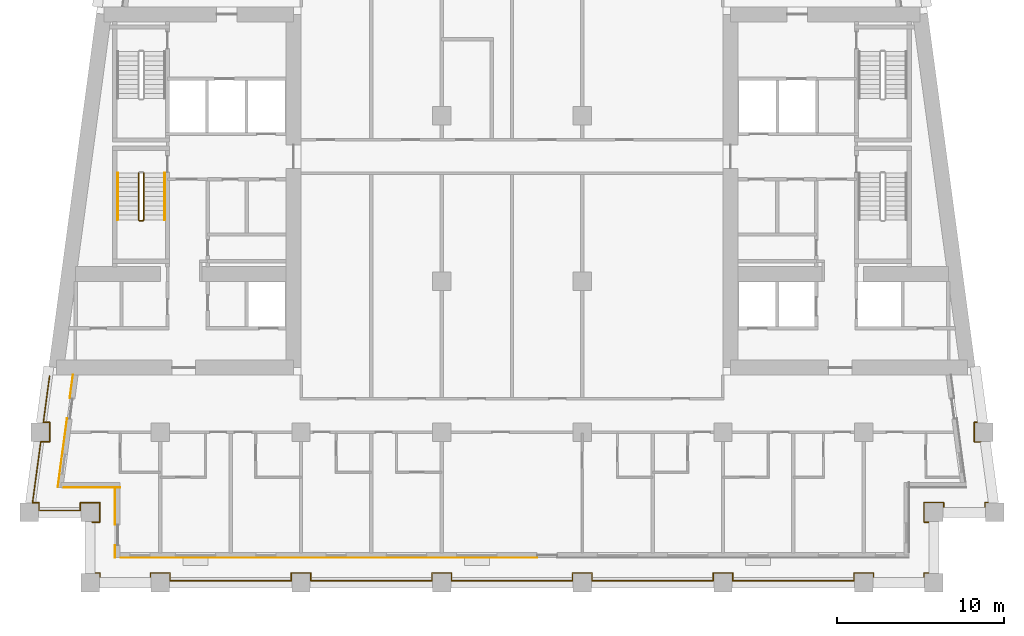
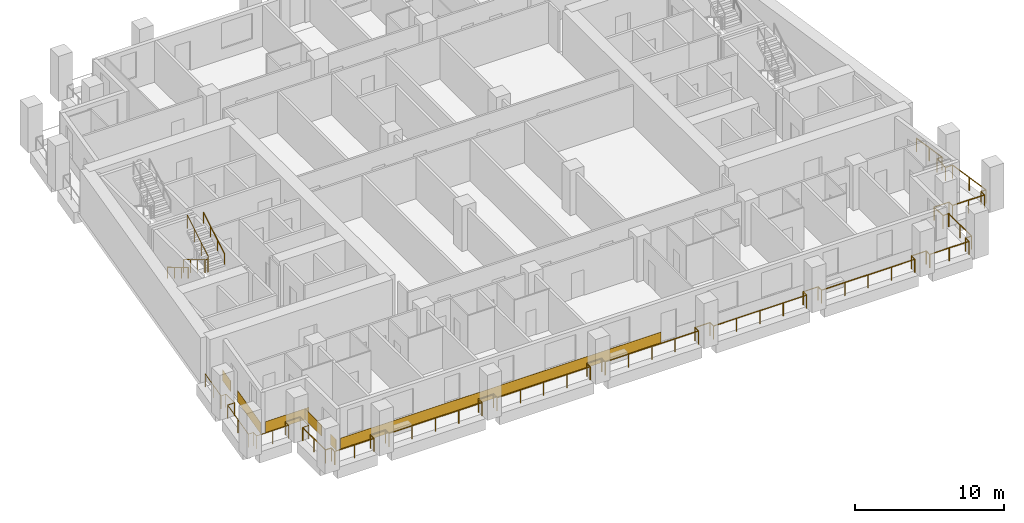
# One storey, part 9 of 13: 6 coverings, 5 railings.
"""IFC4 building model written with IfcOpenShell, lengths in metres."""

from ifc_helpers import new_model, si_unit, direction, frame, origin, origin_2d, place, context, subcontext, project, spatial, rectangle, circle, extrude, material, layer, layer_set, type_object, element, save


model = new_model("IFC4")

# Units and contexts
model_context = context("Model", 3, precision=1e-05, world=origin(), true_north=direction((0.0, 1.0)))
body_context = subcontext(model_context, "Body", "Model", "MODEL_VIEW")
ifc_project = project(units=[si_unit("LENGTHUNIT", "METRE"), si_unit("AREAUNIT", "SQUARE_METRE"), si_unit("VOLUMEUNIT", "CUBIC_METRE"), si_unit("PLANEANGLEUNIT", "RADIAN"), si_unit("MASSUNIT", "GRAM", prefix="KILO")], contexts=[model_context])

# Site, building, storey
site_placement = place(None, origin())
site = spatial("IfcSite", under=ifc_project, at=site_placement, CompositionType="ELEMENT")
building_placement = place(site_placement, origin())
building = spatial("IfcBuilding", under=site, at=building_placement, Name="Candeia Pilgrim Tower and Theatre", CompositionType="ELEMENT")
storey_placement = place(building_placement, frame((0.0, 0.0, 177.39990234375)))
storey = spatial("IfcBuildingStorey", under=building, at=storey_placement, Name="L42", CompositionType="ELEMENT", Elevation=177.39990234375)

# Railings
ifc_material_1 = material(Name="Stainless steel balustrade", Category="steel")
railing_type_1 = type_object("IfcRailingType", Name="G1 loggia guard 1100", PredefinedType="GUARDRAIL", material=ifc_material_1)
railing_1_placement = place(storey_placement, frame((88.320068359375, 101.6201171875, 0.0)))
element("IfcRailing", 1, at=railing_1_placement, inside=storey, type_object=railing_type_1, Name="Guard L42.1", PredefinedType="GUARDRAIL", context=body_context, shape_type="SweptSolid", body=[
    extrude(circle(Radius=0.02392578125, at=origin_2d()), frame((0.0, 0.0, 1.076171875), z_axis=(1.0, 0.0, 0.0), x_axis=(0.0, 1.0, 0.0)), (0.0, 0.0, 1.0), 0.4599609375),
    extrude(circle(Radius=0.02392578125, at=origin_2d()), frame((0.4599609375, 0.0, 1.076171875), z_axis=(0.0, 1.0, 0.0), x_axis=(-1.0, 0.0, 0.0)), (0.0, 0.0, 1.0), 1.159912109375),
    extrude(circle(Radius=0.02392578125, at=origin_2d()), frame((0.4599609375, 1.159912109375, 1.076171875), z_axis=(-1.0, 0.0, 0.0), x_axis=(0.0, -1.0, 0.0)), (0.0, 0.0, 1.0), 1.159912109375),
    extrude(circle(Radius=0.02392578125, at=origin_2d()), frame((-0.699951171875, 1.159912109375, 1.076171875), z_axis=(0.0, -1.0, 0.0), x_axis=(1.0, 0.0, 0.0)), (0.0, 0.0, 1.0), 0.4599609375),
    extrude(circle(Radius=0.02392578125, at=origin_2d()), frame((-0.699951171875, 0.699951171875, 1.076171875), z_axis=(-1.0, 0.0, 0.0), x_axis=(0.0, -1.0, 0.0)), (0.0, 0.0, 1.0), 2.474853515625),
    extrude(circle(Radius=0.02392578125, at=origin_2d()), frame((-3.1748046875, 0.699951171875, 1.076171875), z_axis=(0.0, 1.0, 0.0), x_axis=(-1.0, 0.0, 0.0)), (0.0, 0.0, 1.0), 0.4599609375),
    extrude(circle(Radius=0.02392578125, at=origin_2d()), frame((-3.1748046875, 1.159912109375, 1.076171875), z_axis=(-1.0, 0.0, 0.0), x_axis=(0.0, -1.0, 0.0)), (0.0, 0.0, 1.0), 0.380615234375),
    extrude(circle(Radius=0.02392578125, at=origin_2d()), frame((-3.555419921875, 1.159912109375, 1.076171875), z_axis=(0.133413267734, 0.9910604926, 0.0), x_axis=(-0.9910604926, 0.133413267734, 0.0)), (0.0, 0.0, 1.0), 3.672607421875),
    extrude(circle(Radius=0.02392578125, at=origin_2d()), frame((-3.0654296875, 4.7998046875, 1.076171875), z_axis=(1.0, 0.0, 0.0), x_axis=(0.0, 1.0, 0.0)), (0.0, 0.0, 1.0), 0.536865234375),
    extrude(circle(Radius=0.02392578125, at=origin_2d()), frame((-2.528564453125, 4.7998046875, 1.076171875), z_axis=(0.0, 1.0, 0.0), x_axis=(-1.0, 0.0, 0.0)), (0.0, 0.0, 1.0), 1.16015625),
    extrude(circle(Radius=0.02392578125, at=origin_2d()), frame((-2.528564453125, 5.9599609375, 1.076171875), z_axis=(-1.0, 0.0, 0.0), x_axis=(0.0, -1.0, 0.0)), (0.0, 0.0, 1.0), 0.380859375),
    extrude(circle(Radius=0.02392578125, at=origin_2d()), frame((-2.909423828125, 5.9599609375, 1.076171875), z_axis=(0.133468107709, 0.99105310868, 0.0), x_axis=(-0.99105310868, 0.133468107709, 0.0)), (0.0, 0.0, 1.0), 2.794921875),
    extrude(circle(Radius=0.02099609375, at=origin_2d()), origin(), (0.0, 0.0, 1.0), 1.052001953125),
    extrude(circle(Radius=0.02099609375, at=origin_2d()), frame((0.4599609375, 0.0, 0.0)), (0.0, 0.0, 1.0), 1.052001953125),
    extrude(circle(Radius=0.02099609375, at=origin_2d()), frame((0.4599609375, 1.159912109375, 0.0)), (0.0, 0.0, 1.0), 1.052001953125),
    extrude(circle(Radius=0.02099609375, at=origin_2d()), frame((-0.699951171875, 1.159912109375, 0.0)), (0.0, 0.0, 1.0), 1.052001953125),
    extrude(circle(Radius=0.02099609375, at=origin_2d()), frame((-0.699951171875, 0.699951171875, 0.0)), (0.0, 0.0, 1.0), 1.052001953125),
    extrude(circle(Radius=0.02099609375, at=origin_2d()), frame((-1.9375, 0.699951171875, 0.0)), (0.0, 0.0, 1.0), 1.052001953125),
    extrude(circle(Radius=0.02099609375, at=origin_2d()), frame((-3.1748046875, 0.699951171875, 0.0)), (0.0, 0.0, 1.0), 1.052001953125),
    extrude(circle(Radius=0.02099609375, at=origin_2d()), frame((-3.1748046875, 1.159912109375, 0.0)), (0.0, 0.0, 1.0), 1.052001953125),
    extrude(circle(Radius=0.02099609375, at=origin_2d()), frame((-3.555419921875, 1.159912109375, 0.0)), (0.0, 0.0, 1.0), 1.052001953125),
    extrude(circle(Radius=0.02099609375, at=origin_2d()), frame((-3.310546875, 2.97998046875, 0.0)), (0.0, 0.0, 1.0), 1.052001953125),
    extrude(circle(Radius=0.02099609375, at=origin_2d()), frame((-3.0654296875, 4.7998046875, 0.0)), (0.0, 0.0, 1.0), 1.052001953125),
    extrude(circle(Radius=0.02099609375, at=origin_2d()), frame((-2.528564453125, 4.7998046875, 0.0)), (0.0, 0.0, 1.0), 1.052001953125),
    extrude(circle(Radius=0.02099609375, at=origin_2d()), frame((-2.528564453125, 5.9599609375, 0.0)), (0.0, 0.0, 1.0), 1.052001953125),
    extrude(circle(Radius=0.02099609375, at=origin_2d()), frame((-2.909423828125, 5.9599609375, 0.0)), (0.0, 0.0, 1.0), 1.052001953125),
    extrude(circle(Radius=0.02099609375, at=origin_2d()), frame((-2.722900390625, 7.344970703125, 0.0)), (0.0, 0.0, 1.0), 1.052001953125),
    extrude(circle(Radius=0.02099609375, at=origin_2d()), frame((-2.536376953125, 8.72998046875, 0.0)), (0.0, 0.0, 1.0), 1.052001953125),
])
railing_2_placement = place(storey_placement, frame((141.016357421875, 110.35009765625, 0.0)))
element("IfcRailing", 2, at=railing_2_placement, inside=storey, type_object=railing_type_1, Name="Guard L42.4", PredefinedType="GUARDRAIL", context=body_context, shape_type="SweptSolid", body=[
    extrude(circle(Radius=0.02392578125, at=origin_2d()), frame((0.0, 0.0, 1.076171875), z_axis=(0.133468107709, -0.99105310868, 0.0), x_axis=(0.99105310868, 0.133468107709, 0.0)), (0.0, 0.0, 1.0), 2.794921875),
    extrude(circle(Radius=0.02392578125, at=origin_2d()), frame((0.373046875, -2.77001953125, 1.076171875), z_axis=(-1.0, 0.0, 0.0), x_axis=(0.0, -1.0, 0.0)), (0.0, 0.0, 1.0), 0.380859375),
    extrude(circle(Radius=0.02392578125, at=origin_2d()), frame((-0.0078125, -2.77001953125, 1.076171875), z_axis=(0.0, -1.0, 0.0), x_axis=(1.0, 0.0, 0.0)), (0.0, 0.0, 1.0), 1.16015625),
    extrude(circle(Radius=0.02392578125, at=origin_2d()), frame((-0.0078125, -3.93017578125, 1.076171875), z_axis=(1.0, 0.0, 0.0), x_axis=(0.0, 1.0, 0.0)), (0.0, 0.0, 1.0), 0.536865234375),
    extrude(circle(Radius=0.02392578125, at=origin_2d()), frame((0.529052734375, -3.93017578125, 1.076171875), z_axis=(0.133413267734, -0.9910604926, 0.0), x_axis=(0.9910604926, 0.133413267734, 0.0)), (0.0, 0.0, 1.0), 3.672607421875),
    extrude(circle(Radius=0.02392578125, at=origin_2d()), frame((1.01904296875, -7.570068359375, 1.076171875), z_axis=(-1.0, 0.0, 0.0), x_axis=(0.0, -1.0, 0.0)), (0.0, 0.0, 1.0), 0.380859375),
    extrude(circle(Radius=0.02392578125, at=origin_2d()), frame((0.63818359375, -7.570068359375, 1.076171875), z_axis=(0.0, -1.0, 0.0), x_axis=(1.0, 0.0, 0.0)), (0.0, 0.0, 1.0), 0.4599609375),
    extrude(circle(Radius=0.02392578125, at=origin_2d()), frame((0.63818359375, -8.030029296875, 1.076171875), z_axis=(-1.0, 0.0, 0.0), x_axis=(0.0, -1.0, 0.0)), (0.0, 0.0, 1.0), 2.474609375),
    extrude(circle(Radius=0.02392578125, at=origin_2d()), frame((-1.83642578125, -8.030029296875, 1.076171875), z_axis=(0.0, 1.0, 0.0), x_axis=(-1.0, 0.0, 0.0)), (0.0, 0.0, 1.0), 0.4599609375),
    extrude(circle(Radius=0.02392578125, at=origin_2d()), frame((-1.83642578125, -7.570068359375, 1.076171875), z_axis=(-1.0, 0.0, 0.0), x_axis=(0.0, -1.0, 0.0)), (0.0, 0.0, 1.0), 1.159912109375),
    extrude(circle(Radius=0.02392578125, at=origin_2d()), frame((-2.996337890625, -7.570068359375, 1.076171875), z_axis=(0.0, -1.0, 0.0), x_axis=(1.0, 0.0, 0.0)), (0.0, 0.0, 1.0), 1.159912109375),
    extrude(circle(Radius=0.02392578125, at=origin_2d()), frame((-2.996337890625, -8.72998046875, 1.076171875), z_axis=(1.0, 0.0, 0.0), x_axis=(0.0, 1.0, 0.0)), (0.0, 0.0, 1.0), 0.4599609375),
    extrude(circle(Radius=0.02392578125, at=origin_2d()), frame((-2.536376953125, -8.72998046875, 1.076171875), z_axis=(0.0, -1.0, 0.0), x_axis=(1.0, 0.0, 0.0)), (0.0, 0.0, 1.0), 3.0400390625),
    extrude(circle(Radius=0.02392578125, at=origin_2d()), frame((-2.536376953125, -11.77001953125, 1.076171875), z_axis=(-1.0, 0.0, 0.0), x_axis=(0.0, -1.0, 0.0)), (0.0, 0.0, 1.0), 0.4599609375),
    extrude(circle(Radius=0.02392578125, at=origin_2d()), frame((-2.996337890625, -11.77001953125, 1.076171875), z_axis=(0.0, -1.0, 0.0), x_axis=(1.0, 0.0, 0.0)), (0.0, 0.0, 1.0), 0.4599609375),
    extrude(circle(Radius=0.02392578125, at=origin_2d()), frame((-2.996337890625, -12.22998046875, 1.076171875), z_axis=(-1.0, 0.0, 0.0), x_axis=(0.0, -1.0, 0.0)), (0.0, 0.0, 1.0), 3.0400390625),
    extrude(circle(Radius=0.02392578125, at=origin_2d()), frame((-6.036376953125, -12.22998046875, 1.076171875), z_axis=(0.0, 1.0, 0.0), x_axis=(-1.0, 0.0, 0.0)), (0.0, 0.0, 1.0), 0.4599609375),
    extrude(circle(Radius=0.02392578125, at=origin_2d()), frame((-6.036376953125, -11.77001953125, 1.076171875), z_axis=(-1.0, 0.0, 0.0), x_axis=(0.0, -1.0, 0.0)), (0.0, 0.0, 1.0), 1.159912109375),
    extrude(circle(Radius=0.02392578125, at=origin_2d()), frame((-7.1962890625, -11.77001953125, 1.076171875), z_axis=(0.0, -1.0, 0.0), x_axis=(1.0, 0.0, 0.0)), (0.0, 0.0, 1.0), 0.4599609375),
    extrude(circle(Radius=0.02392578125, at=origin_2d()), frame((-7.1962890625, -12.22998046875, 1.076171875), z_axis=(-1.0, 0.0, 0.0), x_axis=(0.0, -1.0, 0.0)), (0.0, 0.0, 1.0), 7.239990234375),
    extrude(circle(Radius=0.02392578125, at=origin_2d()), frame((-14.436279296875, -12.22998046875, 1.076171875), z_axis=(0.0, 1.0, 0.0), x_axis=(-1.0, 0.0, 0.0)), (0.0, 0.0, 1.0), 0.4599609375),
    extrude(circle(Radius=0.02392578125, at=origin_2d()), frame((-14.436279296875, -11.77001953125, 1.076171875), z_axis=(-1.0, 0.0, 0.0), x_axis=(0.0, -1.0, 0.0)), (0.0, 0.0, 1.0), 1.16015625),
    extrude(circle(Radius=0.02392578125, at=origin_2d()), frame((-15.596435546875, -11.77001953125, 1.076171875), z_axis=(0.0, -1.0, 0.0), x_axis=(1.0, 0.0, 0.0)), (0.0, 0.0, 1.0), 0.4599609375),
    extrude(circle(Radius=0.02392578125, at=origin_2d()), frame((-15.596435546875, -12.22998046875, 1.076171875), z_axis=(-1.0, 0.0, 0.0), x_axis=(0.0, -1.0, 0.0)), (0.0, 0.0, 1.0), 7.239990234375),
    extrude(circle(Radius=0.02392578125, at=origin_2d()), frame((-22.83642578125, -12.22998046875, 1.076171875), z_axis=(0.0, 1.0, 0.0), x_axis=(-1.0, 0.0, 0.0)), (0.0, 0.0, 1.0), 0.4599609375),
    extrude(circle(Radius=0.02392578125, at=origin_2d()), frame((-22.83642578125, -11.77001953125, 1.076171875), z_axis=(-1.0, 0.0, 0.0), x_axis=(0.0, -1.0, 0.0)), (0.0, 0.0, 1.0), 1.159912109375),
    extrude(circle(Radius=0.02392578125, at=origin_2d()), frame((-23.996337890625, -11.77001953125, 1.076171875), z_axis=(0.0, -1.0, 0.0), x_axis=(1.0, 0.0, 0.0)), (0.0, 0.0, 1.0), 0.4599609375),
    extrude(circle(Radius=0.02392578125, at=origin_2d()), frame((-23.996337890625, -12.22998046875, 1.076171875), z_axis=(-1.0, 0.0, 0.0), x_axis=(0.0, -1.0, 0.0)), (0.0, 0.0, 1.0), 7.239990234375),
    extrude(circle(Radius=0.02392578125, at=origin_2d()), frame((-31.236328125, -12.22998046875, 1.076171875), z_axis=(0.0, 1.0, 0.0), x_axis=(-1.0, 0.0, 0.0)), (0.0, 0.0, 1.0), 0.4599609375),
    extrude(circle(Radius=0.02392578125, at=origin_2d()), frame((-31.236328125, -11.77001953125, 1.076171875), z_axis=(-1.0, 0.0, 0.0), x_axis=(0.0, -1.0, 0.0)), (0.0, 0.0, 1.0), 1.159912109375),
    extrude(circle(Radius=0.02392578125, at=origin_2d()), frame((-32.396240234375, -11.77001953125, 1.076171875), z_axis=(0.0, -1.0, 0.0), x_axis=(1.0, 0.0, 0.0)), (0.0, 0.0, 1.0), 0.4599609375),
    extrude(circle(Radius=0.02392578125, at=origin_2d()), frame((-32.396240234375, -12.22998046875, 1.076171875), z_axis=(-1.0, 0.0, 0.0), x_axis=(0.0, -1.0, 0.0)), (0.0, 0.0, 1.0), 7.240234375),
    extrude(circle(Radius=0.02392578125, at=origin_2d()), frame((-39.636474609375, -12.22998046875, 1.076171875), z_axis=(0.0, 1.0, 0.0), x_axis=(-1.0, 0.0, 0.0)), (0.0, 0.0, 1.0), 0.4599609375),
    extrude(circle(Radius=0.02392578125, at=origin_2d()), frame((-39.636474609375, -11.77001953125, 1.076171875), z_axis=(-1.0, 0.0, 0.0), x_axis=(0.0, -1.0, 0.0)), (0.0, 0.0, 1.0), 1.159912109375),
    extrude(circle(Radius=0.02392578125, at=origin_2d()), frame((-40.79638671875, -11.77001953125, 1.076171875), z_axis=(0.0, -1.0, 0.0), x_axis=(1.0, 0.0, 0.0)), (0.0, 0.0, 1.0), 0.4599609375),
    extrude(circle(Radius=0.02392578125, at=origin_2d()), frame((-40.79638671875, -12.22998046875, 1.076171875), z_axis=(-1.0, 0.0, 0.0), x_axis=(0.0, -1.0, 0.0)), (0.0, 0.0, 1.0), 7.239990234375),
    extrude(circle(Radius=0.02392578125, at=origin_2d()), frame((-48.036376953125, -12.22998046875, 1.076171875), z_axis=(0.0, 1.0, 0.0), x_axis=(-1.0, 0.0, 0.0)), (0.0, 0.0, 1.0), 0.4599609375),
    extrude(circle(Radius=0.02392578125, at=origin_2d()), frame((-48.036376953125, -11.77001953125, 1.076171875), z_axis=(-1.0, 0.0, 0.0), x_axis=(0.0, -1.0, 0.0)), (0.0, 0.0, 1.0), 1.159912109375),
    extrude(circle(Radius=0.02392578125, at=origin_2d()), frame((-49.1962890625, -11.77001953125, 1.076171875), z_axis=(0.0, -1.0, 0.0), x_axis=(1.0, 0.0, 0.0)), (0.0, 0.0, 1.0), 0.4599609375),
    extrude(circle(Radius=0.02392578125, at=origin_2d()), frame((-49.1962890625, -12.22998046875, 1.076171875), z_axis=(-1.0, 0.0, 0.0), x_axis=(0.0, -1.0, 0.0)), (0.0, 0.0, 1.0), 3.0400390625),
    extrude(circle(Radius=0.02392578125, at=origin_2d()), frame((-52.236328125, -12.22998046875, 1.076171875), z_axis=(0.0, 1.0, 0.0), x_axis=(-1.0, 0.0, 0.0)), (0.0, 0.0, 1.0), 0.4599609375),
    extrude(circle(Radius=0.02392578125, at=origin_2d()), frame((-52.236328125, -11.77001953125, 1.076171875), z_axis=(-1.0, 0.0, 0.0), x_axis=(0.0, -1.0, 0.0)), (0.0, 0.0, 1.0), 0.4599609375),
    extrude(circle(Radius=0.02392578125, at=origin_2d()), frame((-52.6962890625, -11.77001953125, 1.076171875), z_axis=(0.0, 1.0, 0.0), x_axis=(-1.0, 0.0, 0.0)), (0.0, 0.0, 1.0), 3.0400390625),
    extrude(circle(Radius=0.02099609375, at=origin_2d()), origin(), (0.0, 0.0, 1.0), 1.052001953125),
    extrude(circle(Radius=0.02099609375, at=origin_2d()), frame((0.1865234375, -1.385009765625, 0.0)), (0.0, 0.0, 1.0), 1.052001953125),
    extrude(circle(Radius=0.02099609375, at=origin_2d()), frame((0.373046875, -2.77001953125, 0.0)), (0.0, 0.0, 1.0), 1.052001953125),
    extrude(circle(Radius=0.02099609375, at=origin_2d()), frame((-0.0078125, -2.77001953125, 0.0)), (0.0, 0.0, 1.0), 1.052001953125),
    extrude(circle(Radius=0.02099609375, at=origin_2d()), frame((-0.0078125, -3.93017578125, 0.0)), (0.0, 0.0, 1.0), 1.052001953125),
    extrude(circle(Radius=0.02099609375, at=origin_2d()), frame((0.529052734375, -3.93017578125, 0.0)), (0.0, 0.0, 1.0), 1.052001953125),
    extrude(circle(Radius=0.02099609375, at=origin_2d()), frame((0.77392578125, -5.75, 0.0)), (0.0, 0.0, 1.0), 1.052001953125),
    extrude(circle(Radius=0.02099609375, at=origin_2d()), frame((1.01904296875, -7.570068359375, 0.0)), (0.0, 0.0, 1.0), 1.052001953125),
    extrude(circle(Radius=0.02099609375, at=origin_2d()), frame((0.63818359375, -7.570068359375, 0.0)), (0.0, 0.0, 1.0), 1.052001953125),
    extrude(circle(Radius=0.02099609375, at=origin_2d()), frame((0.63818359375, -8.030029296875, 0.0)), (0.0, 0.0, 1.0), 1.052001953125),
    extrude(circle(Radius=0.02099609375, at=origin_2d()), frame((-0.59912109375, -8.030029296875, 0.0)), (0.0, 0.0, 1.0), 1.052001953125),
    extrude(circle(Radius=0.02099609375, at=origin_2d()), frame((-1.83642578125, -8.030029296875, 0.0)), (0.0, 0.0, 1.0), 1.052001953125),
    extrude(circle(Radius=0.02099609375, at=origin_2d()), frame((-1.83642578125, -7.570068359375, 0.0)), (0.0, 0.0, 1.0), 1.052001953125),
    extrude(circle(Radius=0.02099609375, at=origin_2d()), frame((-2.996337890625, -7.570068359375, 0.0)), (0.0, 0.0, 1.0), 1.052001953125),
    extrude(circle(Radius=0.02099609375, at=origin_2d()), frame((-2.996337890625, -8.72998046875, 0.0)), (0.0, 0.0, 1.0), 1.052001953125),
    extrude(circle(Radius=0.02099609375, at=origin_2d()), frame((-2.536376953125, -8.72998046875, 0.0)), (0.0, 0.0, 1.0), 1.052001953125),
    extrude(circle(Radius=0.02099609375, at=origin_2d()), frame((-2.536376953125, -10.25, 0.0)), (0.0, 0.0, 1.0), 1.052001953125),
    extrude(circle(Radius=0.02099609375, at=origin_2d()), frame((-2.536376953125, -11.77001953125, 0.0)), (0.0, 0.0, 1.0), 1.052001953125),
    extrude(circle(Radius=0.02099609375, at=origin_2d()), frame((-2.996337890625, -11.77001953125, 0.0)), (0.0, 0.0, 1.0), 1.052001953125),
    extrude(circle(Radius=0.02099609375, at=origin_2d()), frame((-2.996337890625, -12.22998046875, 0.0)), (0.0, 0.0, 1.0), 1.052001953125),
    extrude(circle(Radius=0.02099609375, at=origin_2d()), frame((-4.516357421875, -12.22998046875, 0.0)), (0.0, 0.0, 1.0), 1.052001953125),
    extrude(circle(Radius=0.02099609375, at=origin_2d()), frame((-6.036376953125, -12.22998046875, 0.0)), (0.0, 0.0, 1.0), 1.052001953125),
    extrude(circle(Radius=0.02099609375, at=origin_2d()), frame((-6.036376953125, -11.77001953125, 0.0)), (0.0, 0.0, 1.0), 1.052001953125),
    extrude(circle(Radius=0.02099609375, at=origin_2d()), frame((-7.1962890625, -11.77001953125, 0.0)), (0.0, 0.0, 1.0), 1.052001953125),
    extrude(circle(Radius=0.02099609375, at=origin_2d()), frame((-7.1962890625, -12.22998046875, 0.0)), (0.0, 0.0, 1.0), 1.052001953125),
    extrude(circle(Radius=0.02099609375, at=origin_2d()), frame((-9.00634765625, -12.22998046875, 0.0)), (0.0, 0.0, 1.0), 1.052001953125),
    extrude(circle(Radius=0.02099609375, at=origin_2d()), frame((-10.81640625, -12.22998046875, 0.0)), (0.0, 0.0, 1.0), 1.052001953125),
    extrude(circle(Radius=0.02099609375, at=origin_2d()), frame((-12.626220703125, -12.22998046875, 0.0)), (0.0, 0.0, 1.0), 1.052001953125),
    extrude(circle(Radius=0.02099609375, at=origin_2d()), frame((-14.436279296875, -12.22998046875, 0.0)), (0.0, 0.0, 1.0), 1.052001953125),
    extrude(circle(Radius=0.02099609375, at=origin_2d()), frame((-14.436279296875, -11.77001953125, 0.0)), (0.0, 0.0, 1.0), 1.052001953125),
    extrude(circle(Radius=0.02099609375, at=origin_2d()), frame((-15.596435546875, -11.77001953125, 0.0)), (0.0, 0.0, 1.0), 1.052001953125),
    extrude(circle(Radius=0.02099609375, at=origin_2d()), frame((-15.596435546875, -12.22998046875, 0.0)), (0.0, 0.0, 1.0), 1.052001953125),
    extrude(circle(Radius=0.02099609375, at=origin_2d()), frame((-17.406494140625, -12.22998046875, 0.0)), (0.0, 0.0, 1.0), 1.052001953125),
    extrude(circle(Radius=0.02099609375, at=origin_2d()), frame((-19.21630859375, -12.22998046875, 0.0)), (0.0, 0.0, 1.0), 1.052001953125),
    extrude(circle(Radius=0.02099609375, at=origin_2d()), frame((-21.0263671875, -12.22998046875, 0.0)), (0.0, 0.0, 1.0), 1.052001953125),
    extrude(circle(Radius=0.02099609375, at=origin_2d()), frame((-22.83642578125, -12.22998046875, 0.0)), (0.0, 0.0, 1.0), 1.052001953125),
    extrude(circle(Radius=0.02099609375, at=origin_2d()), frame((-22.83642578125, -11.77001953125, 0.0)), (0.0, 0.0, 1.0), 1.052001953125),
    extrude(circle(Radius=0.02099609375, at=origin_2d()), frame((-23.996337890625, -11.77001953125, 0.0)), (0.0, 0.0, 1.0), 1.052001953125),
    extrude(circle(Radius=0.02099609375, at=origin_2d()), frame((-23.996337890625, -12.22998046875, 0.0)), (0.0, 0.0, 1.0), 1.052001953125),
    extrude(circle(Radius=0.02099609375, at=origin_2d()), frame((-25.806396484375, -12.22998046875, 0.0)), (0.0, 0.0, 1.0), 1.052001953125),
    extrude(circle(Radius=0.02099609375, at=origin_2d()), frame((-27.6162109375, -12.22998046875, 0.0)), (0.0, 0.0, 1.0), 1.052001953125),
    extrude(circle(Radius=0.02099609375, at=origin_2d()), frame((-29.42626953125, -12.22998046875, 0.0)), (0.0, 0.0, 1.0), 1.052001953125),
    extrude(circle(Radius=0.02099609375, at=origin_2d()), frame((-31.236328125, -12.22998046875, 0.0)), (0.0, 0.0, 1.0), 1.052001953125),
    extrude(circle(Radius=0.02099609375, at=origin_2d()), frame((-31.236328125, -11.77001953125, 0.0)), (0.0, 0.0, 1.0), 1.052001953125),
    extrude(circle(Radius=0.02099609375, at=origin_2d()), frame((-32.396240234375, -11.77001953125, 0.0)), (0.0, 0.0, 1.0), 1.052001953125),
    extrude(circle(Radius=0.02099609375, at=origin_2d()), frame((-32.396240234375, -12.22998046875, 0.0)), (0.0, 0.0, 1.0), 1.052001953125),
    extrude(circle(Radius=0.02099609375, at=origin_2d()), frame((-34.206298828125, -12.22998046875, 0.0)), (0.0, 0.0, 1.0), 1.052001953125),
    extrude(circle(Radius=0.02099609375, at=origin_2d()), frame((-36.016357421875, -12.22998046875, 0.0)), (0.0, 0.0, 1.0), 1.052001953125),
    extrude(circle(Radius=0.02099609375, at=origin_2d()), frame((-37.826416015625, -12.22998046875, 0.0)), (0.0, 0.0, 1.0), 1.052001953125),
    extrude(circle(Radius=0.02099609375, at=origin_2d()), frame((-39.636474609375, -12.22998046875, 0.0)), (0.0, 0.0, 1.0), 1.052001953125),
    extrude(circle(Radius=0.02099609375, at=origin_2d()), frame((-39.636474609375, -11.77001953125, 0.0)), (0.0, 0.0, 1.0), 1.052001953125),
    extrude(circle(Radius=0.02099609375, at=origin_2d()), frame((-40.79638671875, -11.77001953125, 0.0)), (0.0, 0.0, 1.0), 1.052001953125),
    extrude(circle(Radius=0.02099609375, at=origin_2d()), frame((-40.79638671875, -12.22998046875, 0.0)), (0.0, 0.0, 1.0), 1.052001953125),
    extrude(circle(Radius=0.02099609375, at=origin_2d()), frame((-42.6064453125, -12.22998046875, 0.0)), (0.0, 0.0, 1.0), 1.052001953125),
    extrude(circle(Radius=0.02099609375, at=origin_2d()), frame((-44.41650390625, -12.22998046875, 0.0)), (0.0, 0.0, 1.0), 1.052001953125),
    extrude(circle(Radius=0.02099609375, at=origin_2d()), frame((-46.226318359375, -12.22998046875, 0.0)), (0.0, 0.0, 1.0), 1.052001953125),
    extrude(circle(Radius=0.02099609375, at=origin_2d()), frame((-48.036376953125, -12.22998046875, 0.0)), (0.0, 0.0, 1.0), 1.052001953125),
    extrude(circle(Radius=0.02099609375, at=origin_2d()), frame((-48.036376953125, -11.77001953125, 0.0)), (0.0, 0.0, 1.0), 1.052001953125),
    extrude(circle(Radius=0.02099609375, at=origin_2d()), frame((-49.1962890625, -11.77001953125, 0.0)), (0.0, 0.0, 1.0), 1.052001953125),
    extrude(circle(Radius=0.02099609375, at=origin_2d()), frame((-49.1962890625, -12.22998046875, 0.0)), (0.0, 0.0, 1.0), 1.052001953125),
    extrude(circle(Radius=0.02099609375, at=origin_2d()), frame((-50.71630859375, -12.22998046875, 0.0)), (0.0, 0.0, 1.0), 1.052001953125),
    extrude(circle(Radius=0.02099609375, at=origin_2d()), frame((-52.236328125, -12.22998046875, 0.0)), (0.0, 0.0, 1.0), 1.052001953125),
    extrude(circle(Radius=0.02099609375, at=origin_2d()), frame((-52.236328125, -11.77001953125, 0.0)), (0.0, 0.0, 1.0), 1.052001953125),
    extrude(circle(Radius=0.02099609375, at=origin_2d()), frame((-52.6962890625, -11.77001953125, 0.0)), (0.0, 0.0, 1.0), 1.052001953125),
    extrude(circle(Radius=0.02099609375, at=origin_2d()), frame((-52.6962890625, -10.25, 0.0)), (0.0, 0.0, 1.0), 1.052001953125),
    extrude(circle(Radius=0.02099609375, at=origin_2d()), frame((-52.6962890625, -8.72998046875, 0.0)), (0.0, 0.0, 1.0), 1.052001953125),
])

# Coverings
ifc_material_2 = material(Name="Glazed ceramic tile rust")
ifc_layer = layer(ifc_material_2, 0.02001953125)
ifc_layer_set = layer_set([ifc_layer], Name="Glazed ceramic tile rust")
covering_type = type_object("IfcCoveringType", Name="Glazed ceramic tile rust", PredefinedType="CLADDING", material=ifc_layer_set)
covering_1_placement = place(storey_placement, frame((102.4599609375, 99.489990234375, 0.000244140625), z_axis=(0.0, 0.0, 1.0), x_axis=(1.0, 0.0, 0.0)))
element("IfcCovering", 3, at=covering_1_placement, inside=storey, type_object=covering_type, Name="Tile cladding rust L42", PredefinedType="CLADDING", context=body_context, shape_type="SweptSolid", body=[
    extrude(rectangle(XDim=24.8798828125, YDim=0.02001953125, at=origin_2d()), origin(), (0.0, 0.0, 1.0), 0.89990234375),
])
covering_2_placement = place(storey_placement, frame((87.0810546875, 109.71875, 0.000244140625), z_axis=(0.0, 0.0, 1.0), x_axis=(-0.133412012145, -0.991060661622, 0.0)))
element("IfcCovering", 4, at=covering_2_placement, inside=storey, type_object=covering_type, Name="Tile cladding rust L42", PredefinedType="CLADDING", context=body_context, shape_type="SweptSolid", body=[
    extrude(rectangle(XDim=1.41796875, YDim=0.02001953125, at=origin_2d()), origin(), (0.0, 0.0, 1.0), 0.89990234375),
])
covering_3_placement = place(storey_placement, frame((86.548583984375, 105.763916015625, 0.000244140625), z_axis=(0.0, 0.0, 1.0), x_axis=(-0.133412012145, -0.991060661622, 0.0)))
element("IfcCovering", 5, at=covering_3_placement, inside=storey, type_object=covering_type, Name="Tile cladding rust L42", PredefinedType="CLADDING", context=body_context, shape_type="SweptSolid", body=[
    extrude(rectangle(XDim=4.16259765625, YDim=0.02001953125, at=origin_2d()), origin(), (0.0, 0.0, 1.0), 0.89990234375),
])
covering_4_placement = place(storey_placement, frame((88.311279296875, 103.68994140625, 0.000244140625), z_axis=(0.0, 0.0, 1.0), x_axis=(1.0, 0.0, 0.0)))
element("IfcCovering", 6, at=covering_4_placement, inside=storey, type_object=covering_type, Name="Tile cladding rust L42", PredefinedType="CLADDING", context=body_context, shape_type="SweptSolid", body=[
    extrude(rectangle(XDim=3.377685546875, YDim=0.02001953125, at=origin_2d()), origin(), (0.0, 0.0, 1.0), 0.89990234375),
])
covering_5_placement = place(storey_placement, frame((89.68994140625, 102.56494140625, 0.000244140625), z_axis=(0.0, 0.0, 1.0), x_axis=(0.0, -1.0, 0.0)))
element("IfcCovering", 7, at=covering_5_placement, inside=storey, type_object=covering_type, Name="Tile cladding rust L42", PredefinedType="CLADDING", context=body_context, shape_type="SweptSolid", body=[
    extrude(rectangle(XDim=2.22998046875, YDim=0.02001953125, at=origin_2d()), origin(), (0.0, 0.0, 1.0), 0.89990234375),
])
covering_6_placement = place(storey_placement, frame((89.68994140625, 99.875, 0.000244140625), z_axis=(0.0, 0.0, 1.0), x_axis=(0.0, -1.0, 0.0)))
element("IfcCovering", 8, at=covering_6_placement, inside=storey, type_object=covering_type, Name="Tile cladding rust L42", PredefinedType="CLADDING", context=body_context, shape_type="SweptSolid", body=[
    extrude(rectangle(XDim=0.75, YDim=0.02001953125, at=origin_2d()), origin(), (0.0, 0.0, 1.0), 0.89990234375),
])

# Railings
railing_type_2 = type_object("IfcRailingType", Name="RL-GUARD-1100", PredefinedType="GUARDRAIL", material=ifc_material_1)
railing_3_placement = place(storey_placement, frame((91.10205078125, 122.47509765625, 0.168212890625)))
element("IfcRailing", 9, at=railing_3_placement, inside=storey, type_object=railing_type_2, Name="L42 ST1 stair guard 1", PredefinedType="GUARDRAIL", context=body_context, shape_type="SweptSolid", body=[
    extrude(circle(Radius=0.02392578125, at=origin_2d()), frame((0.0, 0.0, 1.076171875), z_axis=(0.0, -0.857242210791, 0.514913383045), x_axis=(1.0, 0.0, 0.0)), (0.0, 0.0, 1.0), 3.266357421875),
    extrude(circle(Radius=0.02392578125, at=origin_2d()), frame((0.0, -2.800048828125, 2.7578125), z_axis=(0.707106781187, -0.707106781187, 0.0), x_axis=(0.707106781187, 0.707106781187, 0.0)), (0.0, 0.0, 1.0), 0.07080078125),
    extrude(circle(Radius=0.02392578125, at=origin_2d()), frame((0.050048828125, -2.85009765625, 2.7578125), z_axis=(1.0, 0.0, 0.0), x_axis=(0.0, 1.0, 0.0)), (0.0, 0.0, 1.0), 0.199951171875),
    extrude(circle(Radius=0.02392578125, at=origin_2d()), frame((0.25, -2.85009765625, 2.7578125), z_axis=(0.274243871929, 0.274243871929, 0.92172696468), x_axis=(-0.707106781187, 0.707106781187, 0.0)), (0.0, 0.0, 1.0), 0.1826171875),
    extrude(circle(Radius=0.02392578125, at=origin_2d()), frame((0.300048828125, -2.800048828125, 2.92626953125), z_axis=(0.0, 0.857242210791, 0.514913383045), x_axis=(-1.0, 0.0, 0.0)), (0.0, 0.0, 1.0), 3.266357421875),
    extrude(circle(Radius=0.02099609375, at=origin_2d()), origin(), (0.0, 0.0, 1.0), 1.052001953125),
    extrude(circle(Radius=0.02099609375, at=origin_2d()), frame((0.0, -0.933349609375, 0.560546875)), (0.0, 0.0, 1.0), 1.052001953125),
    extrude(circle(Radius=0.02099609375, at=origin_2d()), frame((0.0, -1.86669921875, 1.121337890625)), (0.0, 0.0, 1.0), 1.052001953125),
    extrude(circle(Radius=0.02099609375, at=origin_2d()), frame((0.0, -2.800048828125, 1.681884765625)), (0.0, 0.0, 1.0), 1.052001953125),
    extrude(circle(Radius=0.02099609375, at=origin_2d()), frame((0.050048828125, -2.85009765625, 1.681884765625)), (0.0, 0.0, 1.0), 1.052001953125),
    extrude(circle(Radius=0.02099609375, at=origin_2d()), frame((0.25, -2.85009765625, 1.681884765625)), (0.0, 0.0, 1.0), 1.052001953125),
    extrude(circle(Radius=0.02099609375, at=origin_2d()), frame((0.300048828125, -2.800048828125, 1.85009765625)), (0.0, 0.0, 1.0), 1.052001953125),
    extrude(circle(Radius=0.02099609375, at=origin_2d()), frame((0.300048828125, -1.86669921875, 2.41064453125)), (0.0, 0.0, 1.0), 1.052001953125),
    extrude(circle(Radius=0.02099609375, at=origin_2d()), frame((0.300048828125, -0.933349609375, 2.971435546875)), (0.0, 0.0, 1.0), 1.052001953125),
    extrude(circle(Radius=0.02099609375, at=origin_2d()), frame((0.300048828125, 0.0, 3.531982421875)), (0.0, 0.0, 1.0), 1.052001953125),
])
ifc_material_3 = material(Name="Stainless steel handrail", Category="steel")
railing_type_3 = type_object("IfcRailingType", Name="RL-HANDRAIL-900", PredefinedType="HANDRAIL", material=ifc_material_3)
railing_4_placement = place(storey_placement, frame((89.85205078125, 122.47509765625, 0.168212890625)))
element("IfcRailing", 10, at=railing_4_placement, inside=storey, type_object=railing_type_3, Name="L42 ST1 stair handrail 1", PredefinedType="HANDRAIL", context=body_context, shape_type="SweptSolid", body=[
    extrude(circle(Radius=0.02392578125, at=origin_2d()), frame((0.0, 0.0, 0.8759765625), z_axis=(0.0, -0.857242210791, 0.514913383045), x_axis=(1.0, 0.0, 0.0)), (0.0, 0.0, 1.0), 3.266357421875),
    extrude(circle(Radius=0.02099609375, at=origin_2d()), origin(), (0.0, 0.0, 1.0), 0.851806640625),
    extrude(circle(Radius=0.02099609375, at=origin_2d()), frame((0.0, -0.933349609375, 0.560546875)), (0.0, 0.0, 1.0), 0.851806640625),
    extrude(circle(Radius=0.02099609375, at=origin_2d()), frame((0.0, -1.86669921875, 1.121337890625)), (0.0, 0.0, 1.0), 0.851806640625),
    extrude(circle(Radius=0.02099609375, at=origin_2d()), frame((0.0, -2.800048828125, 1.681884765625)), (0.0, 0.0, 1.0), 0.851806640625),
])
railing_5_placement = place(storey_placement, frame((92.652099609375, 119.675048828125, 2.018310546875)))
element("IfcRailing", 11, at=railing_5_placement, inside=storey, type_object=railing_type_3, Name="L42 ST1 stair handrail 2", PredefinedType="HANDRAIL", context=body_context, shape_type="SweptSolid", body=[
    extrude(circle(Radius=0.02392578125, at=origin_2d()), frame((0.0, 0.0, 0.8759765625), z_axis=(0.0, 0.857242210791, 0.514913383045), x_axis=(-1.0, 0.0, 0.0)), (0.0, 0.0, 1.0), 3.266357421875),
    extrude(circle(Radius=0.02099609375, at=origin_2d()), origin(), (0.0, 0.0, 1.0), 0.851806640625),
    extrude(circle(Radius=0.02099609375, at=origin_2d()), frame((0.0, 0.933349609375, 0.560546875)), (0.0, 0.0, 1.0), 0.851806640625),
    extrude(circle(Radius=0.02099609375, at=origin_2d()), frame((0.0, 1.86669921875, 1.121337890625)), (0.0, 0.0, 1.0), 0.851806640625),
    extrude(circle(Radius=0.02099609375, at=origin_2d()), frame((0.0, 2.800048828125, 1.681884765625)), (0.0, 0.0, 1.0), 0.851806640625),
])

save(model, "model.ifc")
